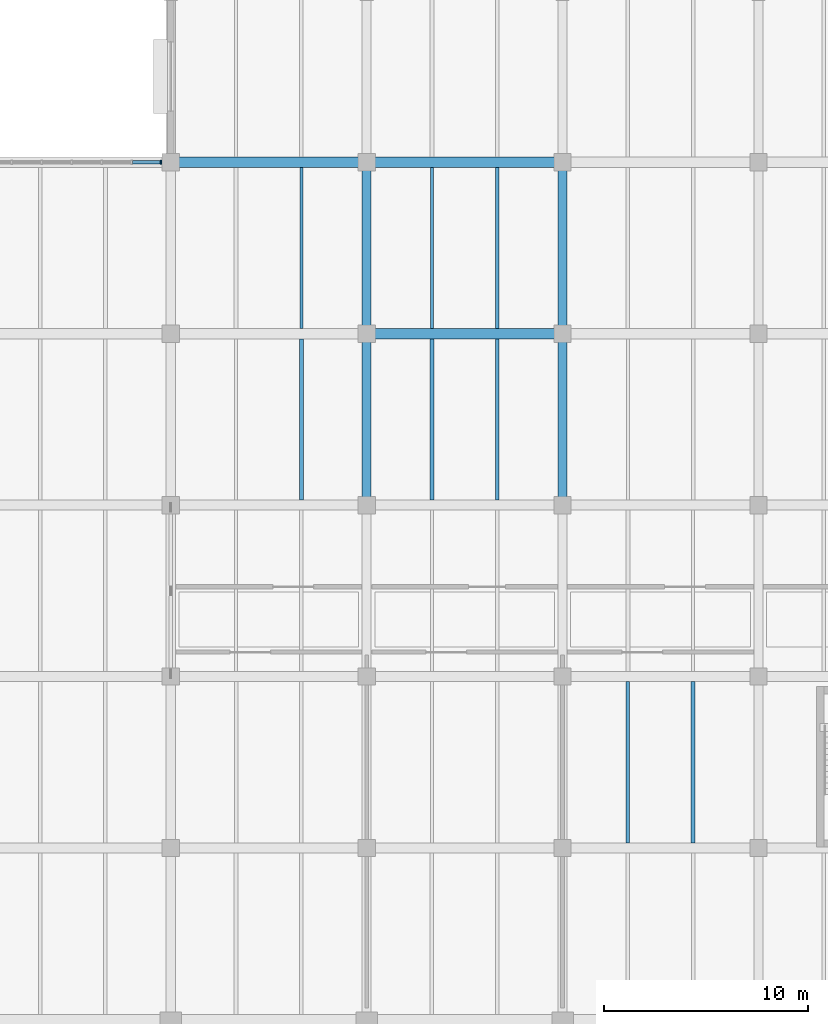
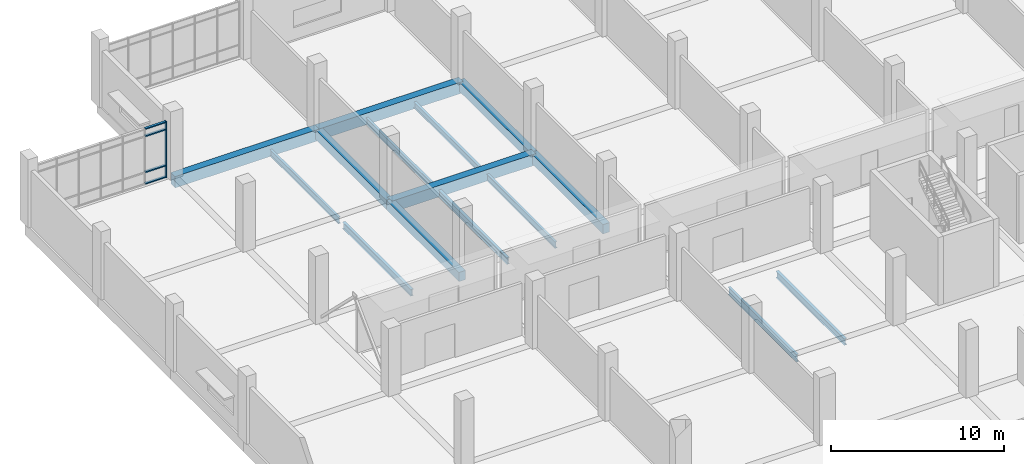
# One storey, part 31 of 152: 15 beams, 5 members, 1 element without a shape of its own.
"""IFC4 building model written with IfcOpenShell, lengths in metres."""

from ifc_helpers import new_model, si_unit, direction, frame, origin, origin_2d, place, context, subcontext, project, spatial, rectangle, i_section, extrude, material, material_profile, profile_set, type_object, element, aggregate, save


model = new_model("IFC4")

# Units and contexts
model_context = context("Model", 3, precision=1e-05, world=origin(), true_north=direction((0.0, 1.0)))
body_context = subcontext(model_context, "Body", "Model", "MODEL_VIEW")
ifc_project = project(units=[si_unit("LENGTHUNIT", "METRE"), si_unit("AREAUNIT", "SQUARE_METRE"), si_unit("VOLUMEUNIT", "CUBIC_METRE"), si_unit("PLANEANGLEUNIT", "RADIAN"), si_unit("MASSUNIT", "GRAM", prefix="KILO")], contexts=[model_context])

# Site, building, storey
site_placement = place(None, origin())
site = spatial("IfcSite", under=ifc_project, at=site_placement, CompositionType="ELEMENT")
building_placement = place(site_placement, origin())
building = spatial("IfcBuilding", under=site, at=building_placement, Name="Oolite Switchyard Hospital", CompositionType="ELEMENT")
storey_placement = place(building_placement, frame((0.0, 0.0, 5.10009765625)))
storey = spatial("IfcBuildingStorey", under=building, at=storey_placement, Name="L01", CompositionType="ELEMENT", Elevation=5.10009765625)

# Beams
ifc_material_1 = material(Name="Concrete C40/50", Category="concrete")
ifc_material_profile_1 = material_profile(ifc_material_1, rectangle(XDim=0.449951171875, YDim=0.64990234375, at=origin_2d()), Name="RCB450X650")
ifc_profile_set_1 = profile_set([ifc_material_profile_1], Name="Concrete C40/50")
beam_type_1 = type_object("IfcBeamType", Name="BM-RC450X650", PredefinedType="BEAM", material=ifc_profile_set_1)
beam_1_placement = place(storey_placement, frame((19.199951171875, 109.199951171875, -0.3251953125), z_axis=(0.0, 1.0, 0.0), x_axis=(-1.0, 0.0, 0.0)))
element("IfcBeam", 1, at=beam_1_placement, inside=storey, type_object=beam_type_1, Name="L01 Y-Girder 331", PredefinedType="BEAM", context=body_context, shape_type="SweptSolid", body=[
    extrude(rectangle(XDim=0.449951171875, YDim=0.64990234375, at=origin_2d()), origin(), (0.0, 0.0, 1.0), 8.400146484375),
])
beam_2_placement = place(storey_placement, frame((19.199951171875, 117.60009765625, -0.3251953125), z_axis=(0.0, 1.0, 0.0), x_axis=(-1.0, 0.0, 0.0)))
element("IfcBeam", 2, at=beam_2_placement, inside=storey, type_object=beam_type_1, Name="L01 Y-Girder 332", PredefinedType="BEAM", context=body_context, shape_type="SweptSolid", body=[
    extrude(rectangle(XDim=0.449951171875, YDim=0.64990234375, at=origin_2d()), origin(), (0.0, 0.0, 1.0), 8.39990234375),
])
beam_3_placement = place(storey_placement, frame((28.800048828125, 109.199951171875, -0.3251953125), z_axis=(0.0, 1.0, 0.0), x_axis=(-1.0, 0.0, 0.0)))
element("IfcBeam", 3, at=beam_3_placement, inside=storey, type_object=beam_type_1, Name="L01 Y-Girder 347", PredefinedType="BEAM", context=body_context, shape_type="SweptSolid", body=[
    extrude(rectangle(XDim=0.449951171875, YDim=0.64990234375, at=origin_2d()), origin(), (0.0, 0.0, 1.0), 8.400146484375),
])
beam_4_placement = place(storey_placement, frame((28.800048828125, 117.60009765625, -0.3251953125), z_axis=(0.0, 1.0, 0.0), x_axis=(-1.0, 0.0, 0.0)))
element("IfcBeam", 4, at=beam_4_placement, inside=storey, type_object=beam_type_1, Name="L01 Y-Girder 348", PredefinedType="BEAM", context=body_context, shape_type="SweptSolid", body=[
    extrude(rectangle(XDim=0.449951171875, YDim=0.64990234375, at=origin_2d()), origin(), (0.0, 0.0, 1.0), 8.39990234375),
])
ifc_material_profile_2 = material_profile(ifc_material_1, rectangle(XDim=0.5, YDim=0.800048828125, at=origin_2d()), Name="RCB500X800")
ifc_profile_set_2 = profile_set([ifc_material_profile_2], Name="Concrete C40/50")
beam_type_2 = type_object("IfcBeamType", Name="BM-RC500X800", PredefinedType="BEAM", material=ifc_profile_set_2)
beam_5_placement = place(storey_placement, frame((19.199951171875, 117.60009765625, -0.400146484375), z_axis=(1.0, 0.0, 0.0), x_axis=(0.0, 1.0, 0.0)))
element("IfcBeam", 5, at=beam_5_placement, inside=storey, type_object=beam_type_2, Name="L01 X-Girder 241", PredefinedType="BEAM", context=body_context, shape_type="SweptSolid", body=[
    extrude(rectangle(XDim=0.5, YDim=0.800048828125, at=origin_2d()), origin(), (0.0, 0.0, 1.0), 9.60009765625),
])
beam_6_placement = place(storey_placement, frame((9.60009765625, 126.0, -0.400146484375), z_axis=(1.0, 0.0, 0.0), x_axis=(0.0, 1.0, 0.0)))
element("IfcBeam", 6, at=beam_6_placement, inside=storey, type_object=beam_type_2, Name="L01 X-Girder 256", PredefinedType="BEAM", context=body_context, shape_type="SweptSolid", body=[
    extrude(rectangle(XDim=0.5, YDim=0.800048828125, at=origin_2d()), origin(), (0.0, 0.0, 1.0), 9.599853515625),
])
beam_7_placement = place(storey_placement, frame((19.199951171875, 126.0, -0.400146484375), z_axis=(1.0, 0.0, 0.0), x_axis=(0.0, 1.0, 0.0)))
element("IfcBeam", 7, at=beam_7_placement, inside=storey, type_object=beam_type_2, Name="L01 X-Girder 257", PredefinedType="BEAM", context=body_context, shape_type="SweptSolid", body=[
    extrude(rectangle(XDim=0.5, YDim=0.800048828125, at=origin_2d()), origin(), (0.0, 0.0, 1.0), 9.60009765625),
])
ifc_material_2 = material(Name="Steel ASTM A992 Grade 50", Category="steel")
ifc_material_profile_3 = material_profile(ifc_material_2, i_section(OverallWidth=0.179931640625, OverallDepth=0.4130859375, WebThickness=0.010009765625, FlangeThickness=0.01611328125, at=origin_2d()), Name="W16X50")
ifc_profile_set_3 = profile_set([ifc_material_profile_3], Name="Steel ASTM A992 Grade 50")
beam_type_3 = type_object("IfcBeamType", Name="BM-W16X50", PredefinedType="JOIST", material=ifc_profile_set_3)
beam_8_placement = place(storey_placement, frame((25.60009765625, 117.85009765625, -0.506103515625), z_axis=(0.0, 1.0, 0.0), x_axis=(-1.0, 0.0, 0.0)))
element("IfcBeam", 8, at=beam_8_placement, inside=storey, type_object=beam_type_3, Name="L01 Secondary Steel Joist 647", PredefinedType="JOIST", context=body_context, shape_type="SweptSolid", body=[
    extrude(i_section(OverallWidth=0.179931640625, OverallDepth=0.4130859375, WebThickness=0.010009765625, FlangeThickness=0.01611328125, at=origin_2d()), origin(), (0.0, 0.0, 1.0), 7.89990234375),
])
ifc_material_profile_4 = material_profile(ifc_material_2, i_section(OverallWidth=0.153076171875, OverallDepth=0.455078125, WebThickness=0.008056640625, FlangeThickness=0.012939453125, at=origin_2d()), Name="W18X40")
ifc_profile_set_4 = profile_set([ifc_material_profile_4], Name="Steel ASTM A992 Grade 50")
beam_type_4 = type_object("IfcBeamType", Name="BM-W18X40", PredefinedType="JOIST", material=ifc_profile_set_4)
beam_9_placement = place(storey_placement, frame((16.0, 117.85009765625, -0.528076171875), z_axis=(0.0, 1.0, 0.0), x_axis=(-1.0, 0.0, 0.0)))
element("IfcBeam", 9, at=beam_9_placement, inside=storey, type_object=beam_type_4, Name="L01 Secondary Steel Joist 619", PredefinedType="JOIST", context=body_context, shape_type="SweptSolid", body=[
    extrude(i_section(OverallWidth=0.153076171875, OverallDepth=0.455078125, WebThickness=0.008056640625, FlangeThickness=0.012939453125, at=origin_2d()), origin(), (0.0, 0.0, 1.0), 7.89990234375),
])
beam_10_placement = place(storey_placement, frame((25.60009765625, 109.449951171875, -0.528076171875), z_axis=(0.0, 1.0, 0.0), x_axis=(-1.0, 0.0, 0.0)))
element("IfcBeam", 10, at=beam_10_placement, inside=storey, type_object=beam_type_4, Name="L01 Secondary Steel Joist 645", PredefinedType="JOIST", context=body_context, shape_type="SweptSolid", body=[
    extrude(i_section(OverallWidth=0.153076171875, OverallDepth=0.455078125, WebThickness=0.008056640625, FlangeThickness=0.012939453125, at=origin_2d()), origin(), (0.0, 0.0, 1.0), 7.900146484375),
])
beam_11_placement = place(storey_placement, frame((22.39990234375, 117.85009765625, -0.528076171875), z_axis=(0.0, 1.0, 0.0), x_axis=(-1.0, 0.0, 0.0)))
element("IfcBeam", 11, at=beam_11_placement, inside=storey, type_object=beam_type_4, Name="L01 Secondary Steel Joist 646", PredefinedType="JOIST", context=body_context, shape_type="SweptSolid", body=[
    extrude(i_section(OverallWidth=0.153076171875, OverallDepth=0.455078125, WebThickness=0.008056640625, FlangeThickness=0.012939453125, at=origin_2d()), origin(), (0.0, 0.0, 1.0), 7.89990234375),
])
ifc_material_profile_5 = material_profile(ifc_material_2, i_section(OverallWidth=0.19091796875, OverallDepth=0.4599609375, WebThickness=0.010009765625, FlangeThickness=0.01611328125, at=origin_2d()), Name="W18X55")
ifc_profile_set_5 = profile_set([ifc_material_profile_5], Name="Steel ASTM A992 Grade 50")
beam_type_5 = type_object("IfcBeamType", Name="BM-W18X55", PredefinedType="JOIST", material=ifc_profile_set_5)
for number, where, z_axis, x_axis, name in (
    (12, (16.0, 109.449951171875, -0.530029296875), (0.0, 1.0, 0.0), (-1.0, 0.0, 0.0), "L01 Secondary Steel Joist 617"),
    (13, (22.39990234375, 109.449951171875, -0.530029296875), (0.0, 1.0, 0.0), (-1.0, 0.0, 0.0), "L01 Secondary Steel Joist 644"),
    (14, (35.199951171875, 92.64990234375, -0.530029296875), (0.0, 1.0, 0.0), (-1.0, 0.0, 0.0), "L01 Secondary Steel Joist 673"),
):
    element("IfcBeam", number, at=place(storey_placement, frame(where, z_axis=z_axis, x_axis=x_axis)), inside=storey, type_object=beam_type_5, Name=name, PredefinedType="JOIST", context=body_context, shape_type="SweptSolid", body=[
        extrude(i_section(OverallWidth=0.19091796875, OverallDepth=0.4599609375, WebThickness=0.010009765625, FlangeThickness=0.01611328125, at=origin_2d()), origin(), (0.0, 0.0, 1.0), 7.900146484375),
    ])
ifc_material_profile_6 = material_profile(ifc_material_2, i_section(OverallWidth=0.166015625, OverallDepth=0.529052734375, WebThickness=0.010009765625, FlangeThickness=0.013916015625, at=origin_2d()), Name="W21X50")
ifc_profile_set_6 = profile_set([ifc_material_profile_6], Name="Steel ASTM A992 Grade 50")
beam_type_6 = type_object("IfcBeamType", Name="BM-W21X50", PredefinedType="JOIST", material=ifc_profile_set_6)
beam_12_placement = place(storey_placement, frame((32.0, 92.64990234375, -0.564208984375), z_axis=(0.0, 1.0, 0.0), x_axis=(-1.0, 0.0, 0.0)))
element("IfcBeam", 15, at=beam_12_placement, inside=storey, type_object=beam_type_6, Name="L01 Secondary Steel Joist 672", PredefinedType="JOIST", context=body_context, shape_type="SweptSolid", body=[
    extrude(i_section(OverallWidth=0.166015625, OverallDepth=0.529052734375, WebThickness=0.010009765625, FlangeThickness=0.013916015625, at=origin_2d()), origin(), (0.0, 0.0, 1.0), 7.900146484375),
])

# Curtain wall, members
ifc_material_3 = material(Name="Thermally broken aluminum frame with laminated impact glazing", Category="aluminium")
curtain_wall_type = type_object("IfcCurtainWallType", Name="CW-UNIT-96X48", PredefinedType="USERDEFINED", material=ifc_material_3)
curtain_wall_placement = place(storey_placement, origin())
curtain_wall = element("IfcCurtainWall", 16, at=curtain_wall_placement, inside=storey, type_object=curtain_wall_type, Name="L01 Unitised Curtain Wall 151", ObjectType="UNITISED", PredefinedType="USERDEFINED")
ifc_material_4 = material(Name="Aluminium 6063-T6", Category="aluminium")
ifc_material_profile_7 = material_profile(ifc_material_4, rectangle(XDim=0.199951171875, YDim=0.074951171875, at=origin_2d()), Name="CWM75X200")
ifc_profile_set_7 = profile_set([ifc_material_profile_7], Name="Aluminium 6063-T6")
member_type_1 = type_object("IfcMemberType", Name="CW-MUL-260", PredefinedType="MULLION", material=ifc_profile_set_7)
member_1_placement = place(storey_placement, frame((9.12255859375, 126.0, 0.0), z_axis=(0.0, 0.0, 1.0), x_axis=(0.0, 1.0, 0.0)))
member_1 = element("IfcMember", 17, at=member_1_placement, type_object=member_type_1, Name="CW-02 mullion 7", PredefinedType="MULLION", context=body_context, shape_type="SweptSolid", body=[
    extrude(rectangle(XDim=0.199951171875, YDim=0.074951171875, at=origin_2d()), origin(), (0.0, 0.0, 1.0), 3.93994140625),
])
ifc_material_profile_8 = material_profile(ifc_material_4, rectangle(XDim=0.159912109375, YDim=0.074951171875, at=origin_2d()), Name="CWT75X160")
ifc_profile_set_8 = profile_set([ifc_material_profile_8], Name="Aluminium 6063-T6")
member_type_2 = type_object("IfcMemberType", Name="CW-TRN-180", PredefinedType="USERDEFINED", material=ifc_profile_set_8)
member_2_placement = place(storey_placement, frame((7.7275390625, 126.0, 0.037353515625), z_axis=(1.0, 0.0, 0.0), x_axis=(0.0, 1.0, 0.0)))
member_2 = element("IfcMember", 18, at=member_2_placement, type_object=member_type_2, Name="CW-02 transom 6.1", ObjectType="TRANSOM", PredefinedType="USERDEFINED", context=body_context, shape_type="SweptSolid", body=[
    extrude(rectangle(XDim=0.159912109375, YDim=0.074951171875, at=origin_2d()), origin(), (0.0, 0.0, 1.0), 1.357421875),
])
member_3_placement = place(storey_placement, frame((7.7275390625, 126.0, 0.849853515625), z_axis=(1.0, 0.0, 0.0), x_axis=(0.0, 1.0, 0.0)))
member_3 = element("IfcMember", 19, at=member_3_placement, type_object=member_type_2, Name="CW-02 transom 6.2", ObjectType="TRANSOM", PredefinedType="USERDEFINED", context=body_context, shape_type="SweptSolid", body=[
    extrude(rectangle(XDim=0.159912109375, YDim=0.074951171875, at=origin_2d()), origin(), (0.0, 0.0, 1.0), 1.357421875),
])
member_4_placement = place(storey_placement, frame((7.7275390625, 126.0, 3.389892578125), z_axis=(1.0, 0.0, 0.0), x_axis=(0.0, 1.0, 0.0)))
member_4 = element("IfcMember", 20, at=member_4_placement, type_object=member_type_2, Name="CW-02 transom 6.3", ObjectType="TRANSOM", PredefinedType="USERDEFINED", context=body_context, shape_type="SweptSolid", body=[
    extrude(rectangle(XDim=0.159912109375, YDim=0.074951171875, at=origin_2d()), origin(), (0.0, 0.0, 1.0), 1.357421875),
])
member_5_placement = place(storey_placement, frame((7.7275390625, 126.0, 3.90234375), z_axis=(1.0, 0.0, 0.0), x_axis=(0.0, 1.0, 0.0)))
member_5 = element("IfcMember", 21, at=member_5_placement, type_object=member_type_2, Name="CW-02 transom 6.4", ObjectType="TRANSOM", PredefinedType="USERDEFINED", context=body_context, shape_type="SweptSolid", body=[
    extrude(rectangle(XDim=0.159912109375, YDim=0.074951171875, at=origin_2d()), origin(), (0.0, 0.0, 1.0), 1.357421875),
])
aggregate(curtain_wall, [member_1, member_2, member_3, member_4, member_5])

save(model, "model.ifc")
